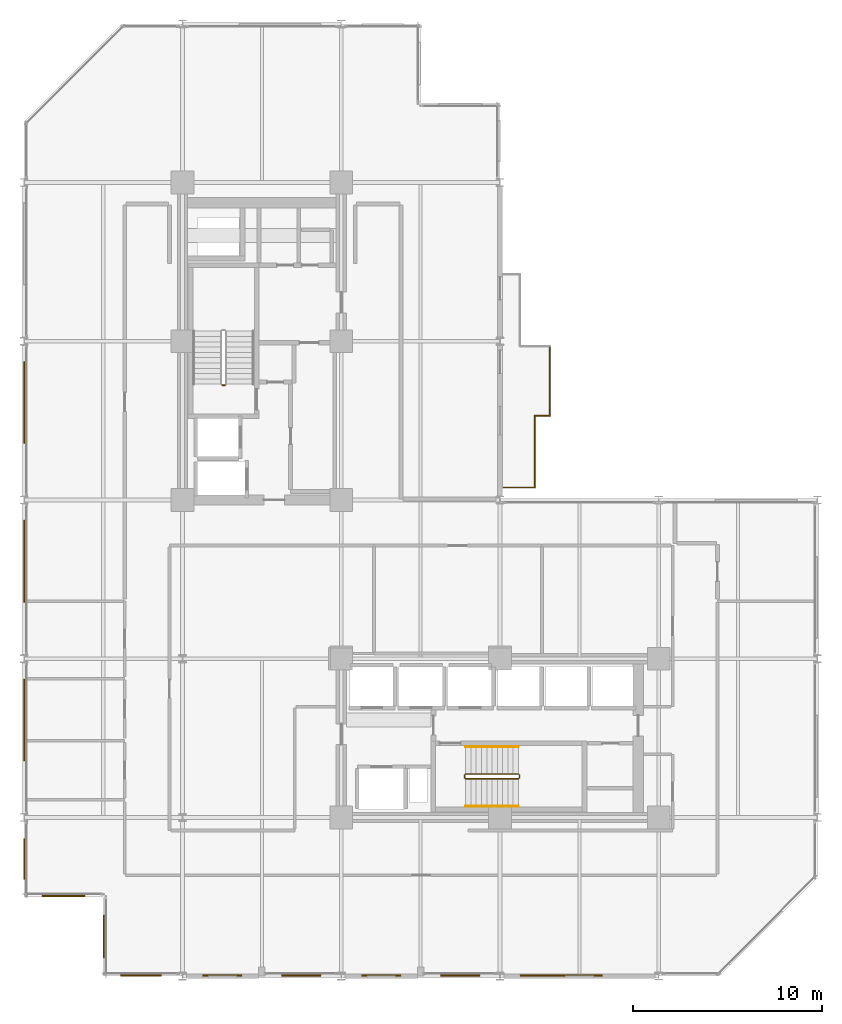
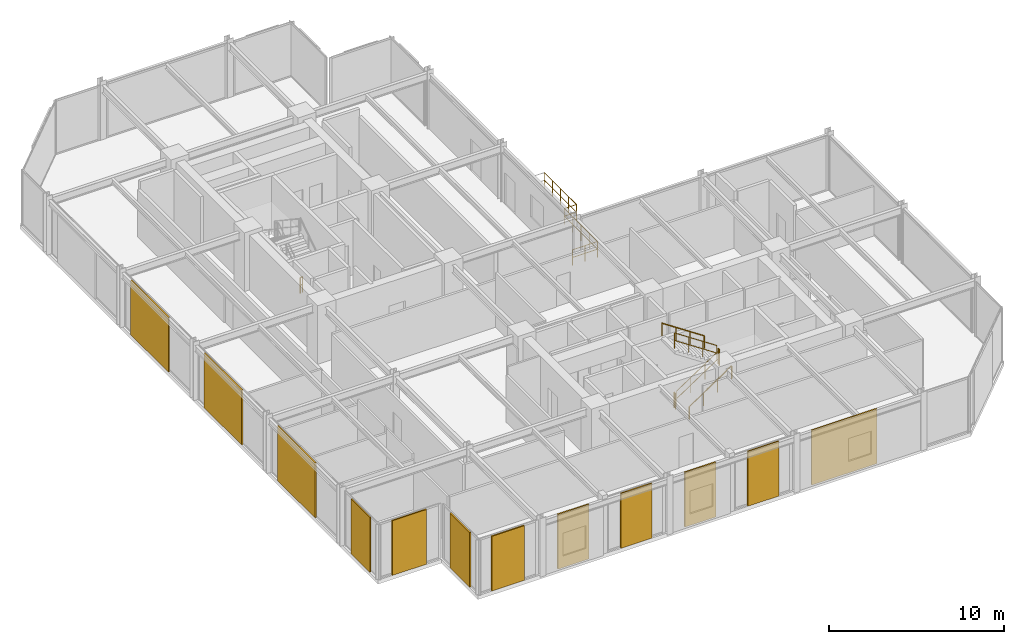
# One storey, part 27 of 29: 12 coverings, 11 railings.
"""IFC4 building model written with IfcOpenShell, lengths in metres."""

from ifc_helpers import new_model, si_unit, direction, frame, origin, origin_2d, place, context, subcontext, project, spatial, rectangle, circle, extrude, material, layer, layer_set, type_object, element, save


model = new_model("IFC4")

# Units and contexts
model_context = context("Model", 3, precision=1e-05, world=origin(), true_north=direction((0.0, 1.0)))
body_context = subcontext(model_context, "Body", "Model", "MODEL_VIEW")
ifc_project = project(units=[si_unit("LENGTHUNIT", "METRE"), si_unit("AREAUNIT", "SQUARE_METRE"), si_unit("VOLUMEUNIT", "CUBIC_METRE"), si_unit("PLANEANGLEUNIT", "RADIAN"), si_unit("MASSUNIT", "GRAM", prefix="KILO")], contexts=[model_context])

# Site, building, storey
site_placement = place(None, origin())
site = spatial("IfcSite", under=ifc_project, at=site_placement, CompositionType="ELEMENT")
building_placement = place(site_placement, origin())
building = spatial("IfcBuilding", under=site, at=building_placement, Name="Nerrivon Quay Data Exchange", CompositionType="ELEMENT")
storey_placement = place(building_placement, frame((0.0, 0.0, 145.89990234375)))
storey = spatial("IfcBuildingStorey", under=building, at=storey_placement, Name="L34", CompositionType="ELEMENT", Elevation=145.89990234375)

# Coverings
ifc_material_1 = material(Name="Architectural terracotta ceramic", Category="masonry")
ifc_layer = layer(ifc_material_1, 0.090087890625)
ifc_layer_set = layer_set([ifc_layer], Name="Architectural terracotta ceramic")
covering_type = type_object("IfcCoveringType", Name="COV-SCR-TERR", PredefinedType="CLADDING", material=ifc_layer_set)
covering_1_placement = place(storey_placement, frame((28.43994140625, 0.044921875, 0.0), z_axis=(0.0, 0.0, 1.0), x_axis=(-1.0, 0.0, 0.0)))
element("IfcCovering", 1, at=covering_1_placement, inside=storey, type_object=covering_type, Name="L34 Perforated Terracotta SOLAR SCREEN Cassette", PredefinedType="CLADDING", context=body_context, shape_type="SweptSolid", body=[
    extrude(rectangle(XDim=4.320068359375, YDim=0.090087890625, at=origin_2d()), origin(), (0.0, 0.0, 1.0), 3.824951171875),
])
for number, where, z_axis, x_axis, name in (
    (2, (23.08740234375, 0.044921875, 0.0), (0.0, 0.0, 1.0), (-1.0, 0.0, 0.0), "L34 Perforated Terracotta SOLAR SCREEN Cassette"),
    (3, (18.91259765625, 0.044921875, 0.0), (0.0, 0.0, 1.0), (-1.0, 0.0, 0.0), "L34 Perforated Terracotta SOLAR SCREEN Cassette"),
):
    element("IfcCovering", number, at=place(storey_placement, frame(where, z_axis=z_axis, x_axis=x_axis)), inside=storey, type_object=covering_type, Name=name, PredefinedType="CLADDING", context=body_context, shape_type="SweptSolid", body=[
        extrude(rectangle(XDim=2.06494140625, YDim=0.090087890625, at=origin_2d()), origin(), (0.0, 0.0, 1.0), 3.824951171875),
    ])
for number, where, z_axis, x_axis, name in (
    (4, (14.6875, 0.044921875, 0.0), (0.0, 0.0, 1.0), (-1.0, 0.0, 0.0), "L34 Perforated Terracotta SOLAR SCREEN Cassette"),
    (5, (10.512451171875, 0.044921875, 0.0), (0.0, 0.0, 1.0), (-1.0, 0.0, 0.0), "L34 Perforated Terracotta SOLAR SCREEN Cassette"),
):
    element("IfcCovering", number, at=place(storey_placement, frame(where, z_axis=z_axis, x_axis=x_axis)), inside=storey, type_object=covering_type, Name=name, PredefinedType="CLADDING", context=body_context, shape_type="SweptSolid", body=[
        extrude(rectangle(XDim=2.06591796875, YDim=0.090087890625, at=origin_2d()), origin(), (0.0, 0.0, 1.0), 3.824951171875),
    ])
covering_2_placement = place(storey_placement, frame((6.199951171875, 0.044921875, 0.0), z_axis=(0.0, 0.0, 1.0), x_axis=(-1.0, 0.0, 0.0)))
element("IfcCovering", 6, at=covering_2_placement, inside=storey, type_object=covering_type, Name="L34 Perforated Terracotta SOLAR SCREEN Cassette", PredefinedType="CLADDING", context=body_context, shape_type="SweptSolid", body=[
    extrude(rectangle(XDim=2.159912109375, YDim=0.090087890625, at=origin_2d()), origin(), (0.0, 0.0, 1.0), 3.824951171875),
])
for number, where, z_axis, x_axis, name in (
    (7, (4.2451171875, 2.10009765625, 0.0), (0.0, 0.0, 1.0), (0.0, 1.0, 0.0), "L34 Perforated Terracotta SOLAR SCREEN Cassette"),
    (8, (2.10009765625, 4.2451171875, 0.0), (0.0, 0.0, 1.0), (-1.0, 0.0, 0.0), "L34 Perforated Terracotta SOLAR SCREEN Cassette"),
):
    element("IfcCovering", number, at=place(storey_placement, frame(where, z_axis=z_axis, x_axis=x_axis)), inside=storey, type_object=covering_type, Name=name, PredefinedType="CLADDING", context=body_context, shape_type="SweptSolid", body=[
        extrude(rectangle(XDim=2.26806640625, YDim=0.090087890625, at=origin_2d()), origin(), (0.0, 0.0, 1.0), 3.824951171875),
    ])
covering_3_placement = place(storey_placement, frame((0.044921875, 6.199951171875, 0.0), z_axis=(0.0, 0.0, 1.0), x_axis=(0.0, 1.0, 0.0)))
element("IfcCovering", 9, at=covering_3_placement, inside=storey, type_object=covering_type, Name="L34 Perforated Terracotta SOLAR SCREEN Cassette", PredefinedType="CLADDING", context=body_context, shape_type="SweptSolid", body=[
    extrude(rectangle(XDim=2.159912109375, YDim=0.090087890625, at=origin_2d()), origin(), (0.0, 0.0, 1.0), 3.824951171875),
])
for number, where, z_axis, x_axis, name in (
    (10, (0.044921875, 13.56005859375, 0.0), (0.0, 0.0, 1.0), (0.0, 1.0, 0.0), "L34 Perforated Terracotta SOLAR SCREEN Cassette"),
    (11, (0.044921875, 21.9599609375, 0.0), (0.0, 0.0, 1.0), (0.0, 1.0, 0.0), "L34 Perforated Terracotta SOLAR SCREEN Cassette"),
    (12, (0.044921875, 30.360107421875, 0.0), (0.0, 0.0, 1.0), (0.0, 1.0, 0.0), "L34 Perforated Terracotta SOLAR SCREEN Cassette"),
):
    element("IfcCovering", number, at=place(storey_placement, frame(where, z_axis=z_axis, x_axis=x_axis)), inside=storey, type_object=covering_type, Name=name, PredefinedType="CLADDING", context=body_context, shape_type="SweptSolid", body=[
        extrude(rectangle(XDim=4.320068359375, YDim=0.090087890625, at=origin_2d()), origin(), (0.0, 0.0, 1.0), 3.824951171875),
    ])

# Railings
ifc_material_2 = material(Name="Steel Grade C350L0 (350 MPa)", Category="steel")
railing_type_1 = type_object("IfcRailingType", Name="RAIL-GUARD-GR2", PredefinedType="BALUSTRADE", material=ifc_material_2)
railing_1_placement = place(storey_placement, frame((27.0400390625, 29.659912109375, 0.0)))
element("IfcRailing", 13, at=railing_1_placement, inside=storey, type_object=railing_type_1, Name="L34 Verandah Balcony Guard 1.1 1", PredefinedType="BALUSTRADE", context=body_context, shape_type="SweptSolid", body=[
    extrude(circle(Radius=0.02392578125, at=origin_2d()), frame((0.0, 0.0, 1.09619140625), z_axis=(0.0, -1.0, 0.0), x_axis=(1.0, 0.0, 0.0)), (0.0, 0.0, 1.0), 3.7998046875),
    extrude(circle(Radius=0.02392578125, at=origin_2d()), frame((0.0, 0.0, 0.56005859375), z_axis=(0.0, -1.0, 0.0), x_axis=(1.0, 0.0, 0.0)), (0.0, 0.0, 1.0), 3.7998046875),
    extrude(circle(Radius=0.02099609375, at=origin_2d()), origin(), (0.0, 0.0, 1.0), 1.072021484375),
    extrude(circle(Radius=0.02099609375, at=origin_2d()), frame((0.0, -0.949951171875, 0.0)), (0.0, 0.0, 1.0), 1.072021484375),
    extrude(circle(Radius=0.02099609375, at=origin_2d()), frame((0.0, -1.89990234375, 0.0)), (0.0, 0.0, 1.0), 1.072021484375),
    extrude(circle(Radius=0.02099609375, at=origin_2d()), frame((0.0, -2.849853515625, 0.0)), (0.0, 0.0, 1.0), 1.072021484375),
    extrude(circle(Radius=0.02099609375, at=origin_2d()), frame((0.0, -3.7998046875, 0.0)), (0.0, 0.0, 1.0), 1.072021484375),
])
railing_2_placement = place(storey_placement, frame((27.0400390625, 25.860107421875, 0.0)))
element("IfcRailing", 14, at=railing_2_placement, inside=storey, type_object=railing_type_1, Name="L34 Verandah Balcony Guard 1.2 1", PredefinedType="BALUSTRADE", context=body_context, shape_type="SweptSolid", body=[
    extrude(circle(Radius=0.02392578125, at=origin_2d()), frame((0.0, 0.0, 1.09619140625), z_axis=(-1.0, 0.0, 0.0), x_axis=(0.0, -1.0, 0.0)), (0.0, 0.0, 1.0), 1.66015625),
    extrude(circle(Radius=0.02392578125, at=origin_2d()), frame((0.0, 0.0, 0.56005859375), z_axis=(-1.0, 0.0, 0.0), x_axis=(0.0, -1.0, 0.0)), (0.0, 0.0, 1.0), 1.66015625),
    extrude(circle(Radius=0.02099609375, at=origin_2d()), origin(), (0.0, 0.0, 1.0), 1.072021484375),
    extrude(circle(Radius=0.02099609375, at=origin_2d()), frame((-0.830078125, 0.0, 0.0)), (0.0, 0.0, 1.0), 1.072021484375),
    extrude(circle(Radius=0.02099609375, at=origin_2d()), frame((-1.66015625, 0.0, 0.0)), (0.0, 0.0, 1.0), 1.072021484375),
])
railing_3_placement = place(storey_placement, frame((27.840087890625, 33.340087890625, 0.0)))
element("IfcRailing", 15, at=railing_3_placement, inside=storey, type_object=railing_type_1, Name="L34 Verandah Balcony Guard 1.6 1", PredefinedType="BALUSTRADE", context=body_context, shape_type="SweptSolid", body=[
    extrude(circle(Radius=0.02392578125, at=origin_2d()), frame((0.0, 0.0, 1.09619140625), z_axis=(0.0, -1.0, 0.0), x_axis=(1.0, 0.0, 0.0)), (0.0, 0.0, 1.0), 3.68017578125),
    extrude(circle(Radius=0.02392578125, at=origin_2d()), frame((0.0, 0.0, 0.56005859375), z_axis=(0.0, -1.0, 0.0), x_axis=(1.0, 0.0, 0.0)), (0.0, 0.0, 1.0), 3.68017578125),
    extrude(circle(Radius=0.02099609375, at=origin_2d()), origin(), (0.0, 0.0, 1.0), 1.072021484375),
    extrude(circle(Radius=0.02099609375, at=origin_2d()), frame((0.0, -0.919921875, 0.0)), (0.0, 0.0, 1.0), 1.072021484375),
    extrude(circle(Radius=0.02099609375, at=origin_2d()), frame((0.0, -1.840087890625, 0.0)), (0.0, 0.0, 1.0), 1.072021484375),
    extrude(circle(Radius=0.02099609375, at=origin_2d()), frame((0.0, -2.76025390625, 0.0)), (0.0, 0.0, 1.0), 1.072021484375),
    extrude(circle(Radius=0.02099609375, at=origin_2d()), frame((0.0, -3.68017578125, 0.0)), (0.0, 0.0, 1.0), 1.072021484375),
])
railing_4_placement = place(storey_placement, frame((27.840087890625, 29.659912109375, 0.0)))
element("IfcRailing", 16, at=railing_4_placement, inside=storey, type_object=railing_type_1, Name="L34 Verandah Balcony Guard 1.7 1", PredefinedType="BALUSTRADE", context=body_context, shape_type="SweptSolid", body=[
    extrude(circle(Radius=0.02392578125, at=origin_2d()), frame((0.0, 0.0, 1.09619140625), z_axis=(-1.0, 0.0, 0.0), x_axis=(0.0, -1.0, 0.0)), (0.0, 0.0, 1.0), 0.800048828125),
    extrude(circle(Radius=0.02392578125, at=origin_2d()), frame((0.0, 0.0, 0.56005859375), z_axis=(-1.0, 0.0, 0.0), x_axis=(0.0, -1.0, 0.0)), (0.0, 0.0, 1.0), 0.800048828125),
    extrude(circle(Radius=0.02099609375, at=origin_2d()), origin(), (0.0, 0.0, 1.0), 1.072021484375),
    extrude(circle(Radius=0.02099609375, at=origin_2d()), frame((-0.800048828125, 0.0, 0.0)), (0.0, 0.0, 1.0), 1.072021484375),
])
railing_type_2 = type_object("IfcRailingType", Name="RAIL-HAND-HR1", PredefinedType="HANDRAIL", material=ifc_material_2)
railing_5_placement = place(storey_placement, frame((23.3798828125, 9.0, 0.1865234375)))
element("IfcRailing", 17, at=railing_5_placement, inside=storey, type_object=railing_type_2, Name="L34 ST02 stair handrail 1", PredefinedType="HANDRAIL", context=body_context, shape_type="SweptSolid", body=[
    extrude(circle(Radius=0.02392578125, at=origin_2d()), frame((0.0, 0.0, 0.8759765625), z_axis=(0.832485552168, 0.0, 0.554046753832), x_axis=(0.0, 1.0, 0.0)), (0.0, 0.0, 1.0), 3.363525390625),
    extrude(circle(Radius=0.02099609375, at=origin_2d()), origin(), (0.0, 0.0, 1.0), 0.851806640625),
    extrude(circle(Radius=0.02099609375, at=origin_2d()), frame((0.933349609375, 0.0, 0.62109375)), (0.0, 0.0, 1.0), 0.851806640625),
    extrude(circle(Radius=0.02099609375, at=origin_2d()), frame((1.86669921875, 0.0, 1.242431640625)), (0.0, 0.0, 1.0), 0.851806640625),
    extrude(circle(Radius=0.02099609375, at=origin_2d()), frame((2.800048828125, 0.0, 1.863525390625)), (0.0, 0.0, 1.0), 0.851806640625),
])
railing_6_placement = place(storey_placement, frame((26.179931640625, 12.14990234375, 2.236572265625)))
element("IfcRailing", 18, at=railing_6_placement, inside=storey, type_object=railing_type_2, Name="L34 ST02 stair handrail 2", PredefinedType="HANDRAIL", context=body_context, shape_type="SweptSolid", body=[
    extrude(circle(Radius=0.02392578125, at=origin_2d()), frame((0.0, 0.0, 0.8759765625), z_axis=(-0.832485552168, 0.0, 0.554046753832), x_axis=(0.0, -1.0, 0.0)), (0.0, 0.0, 1.0), 3.363525390625),
    extrude(circle(Radius=0.02099609375, at=origin_2d()), origin(), (0.0, 0.0, 1.0), 0.851806640625),
    extrude(circle(Radius=0.02099609375, at=origin_2d()), frame((-0.933349609375, 0.0, 0.62109375)), (0.0, 0.0, 1.0), 0.851806640625),
    extrude(circle(Radius=0.02099609375, at=origin_2d()), frame((-1.86669921875, 0.0, 1.242431640625)), (0.0, 0.0, 1.0), 0.851806640625),
    extrude(circle(Radius=0.02099609375, at=origin_2d()), frame((-2.800048828125, 0.0, 1.863525390625)), (0.0, 0.0, 1.0), 0.851806640625),
])
railing_type_3 = type_object("IfcRailingType", Name="RAIL-STAIR-GR1", PredefinedType="BALUSTRADE", material=ifc_material_2)
railing_7_placement = place(storey_placement, frame((10.64990234375, 31.280029296875, 0.0)))
element("IfcRailing", 19, at=railing_7_placement, inside=storey, type_object=railing_type_3, Name="L34 ST01 stair guard 4", PredefinedType="BALUSTRADE", context=body_context, shape_type="SweptSolid", body=[
    extrude(circle(Radius=0.02392578125, at=origin_2d()), frame((0.0, 0.0, 1.076171875), z_axis=(-1.0, 0.0, 0.0), x_axis=(0.0, -1.0, 0.0)), (0.0, 0.0, 1.0), 0.14990234375),
    extrude(circle(Radius=0.02392578125, at=origin_2d()), frame((0.0, 0.0, 0.550048828125), z_axis=(-1.0, 0.0, 0.0), x_axis=(0.0, -1.0, 0.0)), (0.0, 0.0, 1.0), 0.14990234375),
    extrude(circle(Radius=0.02099609375, at=origin_2d()), origin(), (0.0, 0.0, 1.0), 1.052001953125),
    extrude(circle(Radius=0.02099609375, at=origin_2d()), frame((-0.14990234375, 0.0, 0.0)), (0.0, 0.0, 1.0), 1.052001953125),
])
railing_8_placement = place(storey_placement, frame((23.3798828125, 10.449951171875, 0.1865234375)))
element("IfcRailing", 20, at=railing_8_placement, inside=storey, type_object=railing_type_3, Name="L34 ST02 stair guard 1", PredefinedType="BALUSTRADE", context=body_context, shape_type="SweptSolid", body=[
    extrude(circle(Radius=0.02392578125, at=origin_2d()), frame((0.0, 0.0, 1.076171875), z_axis=(0.832485552168, 0.0, 0.554046753832), x_axis=(0.0, 1.0, 0.0)), (0.0, 0.0, 1.0), 3.363525390625),
    extrude(circle(Radius=0.02392578125, at=origin_2d()), frame((0.0, 0.0, 0.550048828125), z_axis=(0.832485552168, 0.0, 0.554046753832), x_axis=(0.0, 1.0, 0.0)), (0.0, 0.0, 1.0), 3.363525390625),
    extrude(circle(Radius=0.02099609375, at=origin_2d()), origin(), (0.0, 0.0, 1.0), 1.052001953125),
    extrude(circle(Radius=0.02099609375, at=origin_2d()), frame((0.933349609375, 0.0, 0.62109375)), (0.0, 0.0, 1.0), 1.052001953125),
    extrude(circle(Radius=0.02099609375, at=origin_2d()), frame((1.86669921875, 0.0, 1.242431640625)), (0.0, 0.0, 1.0), 1.052001953125),
    extrude(circle(Radius=0.02099609375, at=origin_2d()), frame((2.800048828125, 0.0, 1.863525390625)), (0.0, 0.0, 1.0), 1.052001953125),
])
railing_9_placement = place(storey_placement, frame((26.22998046875, 10.5, 2.050048828125)))
element("IfcRailing", 21, at=railing_9_placement, inside=storey, type_object=railing_type_3, Name="L34 ST02 stair guard 2", PredefinedType="BALUSTRADE", context=body_context, shape_type="SweptSolid", body=[
    extrude(circle(Radius=0.02392578125, at=origin_2d()), frame((0.0, 0.0, 1.076171875), z_axis=(0.0, 1.0, 0.0), x_axis=(-1.0, 0.0, 0.0)), (0.0, 0.0, 1.0), 0.14990234375),
    extrude(circle(Radius=0.02392578125, at=origin_2d()), frame((0.0, 0.0, 0.550048828125), z_axis=(0.0, 1.0, 0.0), x_axis=(-1.0, 0.0, 0.0)), (0.0, 0.0, 1.0), 0.14990234375),
    extrude(circle(Radius=0.02099609375, at=origin_2d()), origin(), (0.0, 0.0, 1.0), 1.052001953125),
    extrude(circle(Radius=0.02099609375, at=origin_2d()), frame((0.0, 0.14990234375, 0.0)), (0.0, 0.0, 1.0), 1.052001953125),
])
railing_10_placement = place(storey_placement, frame((26.179931640625, 10.699951171875, 2.236572265625)))
element("IfcRailing", 22, at=railing_10_placement, inside=storey, type_object=railing_type_3, Name="L34 ST02 stair guard 3", PredefinedType="BALUSTRADE", context=body_context, shape_type="SweptSolid", body=[
    extrude(circle(Radius=0.02392578125, at=origin_2d()), frame((0.0, 0.0, 1.076171875), z_axis=(-0.832485552168, 0.0, 0.554046753832), x_axis=(0.0, -1.0, 0.0)), (0.0, 0.0, 1.0), 3.363525390625),
    extrude(circle(Radius=0.02392578125, at=origin_2d()), frame((0.0, 0.0, 0.550048828125), z_axis=(-0.832485552168, 0.0, 0.554046753832), x_axis=(0.0, -1.0, 0.0)), (0.0, 0.0, 1.0), 3.363525390625),
    extrude(circle(Radius=0.02099609375, at=origin_2d()), origin(), (0.0, 0.0, 1.0), 1.052001953125),
    extrude(circle(Radius=0.02099609375, at=origin_2d()), frame((-0.933349609375, 0.0, 0.62109375)), (0.0, 0.0, 1.0), 1.052001953125),
    extrude(circle(Radius=0.02099609375, at=origin_2d()), frame((-1.86669921875, 0.0, 1.242431640625)), (0.0, 0.0, 1.0), 1.052001953125),
    extrude(circle(Radius=0.02099609375, at=origin_2d()), frame((-2.800048828125, 0.0, 1.863525390625)), (0.0, 0.0, 1.0), 1.052001953125),
])
railing_11_placement = place(storey_placement, frame((23.330078125, 10.5, 0.0)))
element("IfcRailing", 23, at=railing_11_placement, inside=storey, type_object=railing_type_3, Name="L34 ST02 stair guard 4", PredefinedType="BALUSTRADE", context=body_context, shape_type="SweptSolid", body=[
    extrude(circle(Radius=0.02392578125, at=origin_2d()), frame((0.0, 0.0, 1.076171875), z_axis=(0.0, 1.0, 0.0), x_axis=(-1.0, 0.0, 0.0)), (0.0, 0.0, 1.0), 0.14990234375),
    extrude(circle(Radius=0.02392578125, at=origin_2d()), frame((0.0, 0.0, 0.550048828125), z_axis=(0.0, 1.0, 0.0), x_axis=(-1.0, 0.0, 0.0)), (0.0, 0.0, 1.0), 0.14990234375),
    extrude(circle(Radius=0.02099609375, at=origin_2d()), origin(), (0.0, 0.0, 1.0), 1.052001953125),
    extrude(circle(Radius=0.02099609375, at=origin_2d()), frame((0.0, 0.14990234375, 0.0)), (0.0, 0.0, 1.0), 1.052001953125),
])

save(model, "model.ifc")
